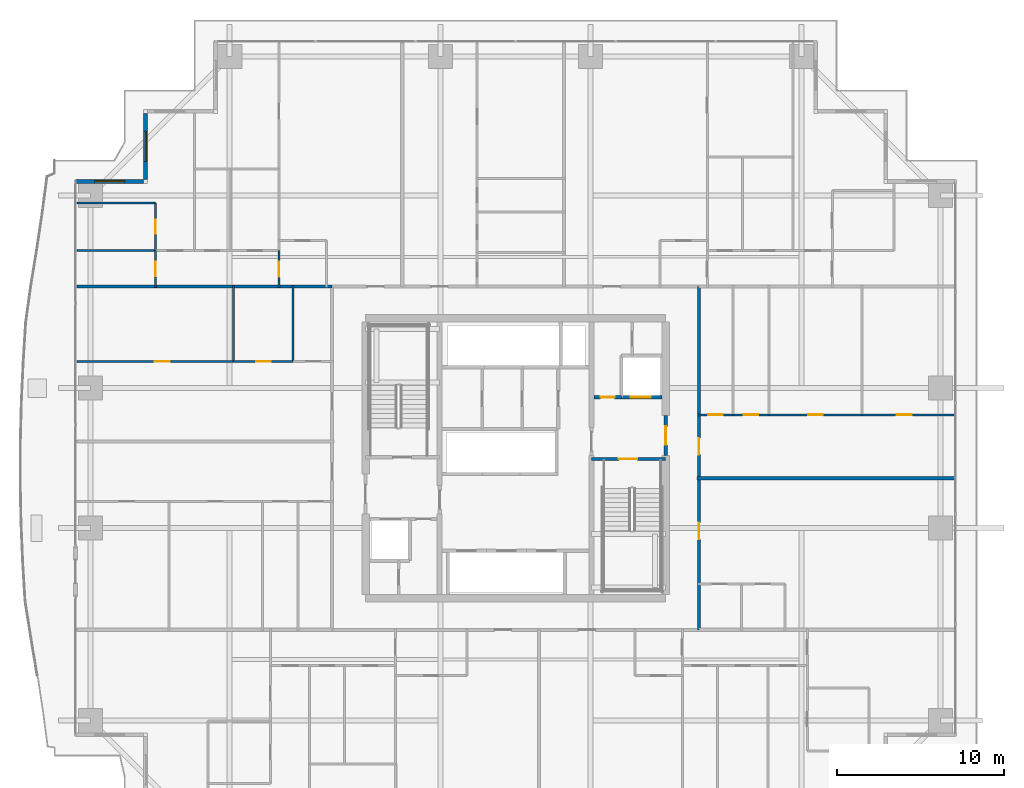
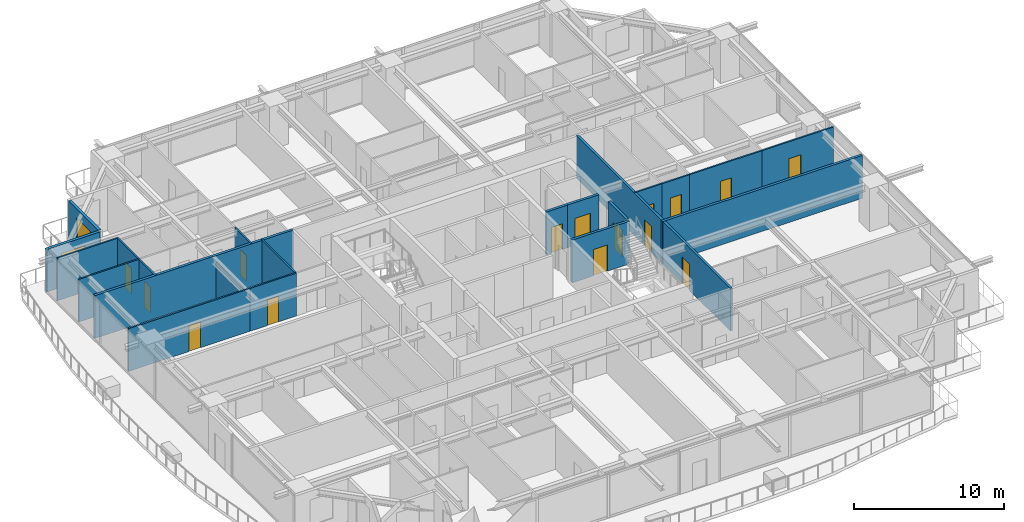
# One storey, part 29 of 39: 22 walls, 15 doors, 2 windows, 17 openings.
"""IFC4 building model written with IfcOpenShell, lengths in metres."""

from ifc_helpers import new_model, si_unit, direction, frame, frame_2d, origin, place, context, subcontext, project, spatial, rectangle, extrude, source, transform, mapped, material, layer, layer_set, type_object, element, fill, save


model = new_model("IFC4")

# Units and contexts
model_context = context("Model", 3, precision=1e-05, world=origin(), true_north=direction((0.0, 1.0)))
body_context = subcontext(model_context, "Body", "Model", "MODEL_VIEW")
ifc_project = project(units=[si_unit("LENGTHUNIT", "METRE"), si_unit("AREAUNIT", "SQUARE_METRE"), si_unit("VOLUMEUNIT", "CUBIC_METRE"), si_unit("PLANEANGLEUNIT", "RADIAN"), si_unit("MASSUNIT", "GRAM", prefix="KILO")], contexts=[model_context])

# Site, building, storey
site_placement = place(None, origin())
site = spatial("IfcSite", under=ifc_project, at=site_placement, CompositionType="ELEMENT")
building_placement = place(site_placement, origin())
building = spatial("IfcBuilding", under=site, at=building_placement, Name="Serunith Strait Residences", CompositionType="ELEMENT")
storey_placement = place(building_placement, frame((0.0, 0.0, 60.449951171875)))
storey = spatial("IfcBuildingStorey", under=building, at=storey_placement, Name="L14", CompositionType="ELEMENT", Elevation=60.449951171875)

# Wall, opening, window
ifc_material_1 = material(Name="Pale-Champagne Aluminium Insulated Panel", Category="aluminium")
ifc_layer_1 = layer(ifc_material_1, 0.219970703125, Name="Pale-Champagne Aluminium Insulated Panel")
ifc_layer_set_1 = layer_set([ifc_layer_1], Name="Pale-Champagne Aluminium Insulated Panel")
wall_type_1 = type_object("IfcWallType", Name="EW-ALUM-220", PredefinedType="ELEMENTEDWALL", material=ifc_layer_set_1)
wall_1_placement = place(storey_placement, frame((10.199951171875, 45.889892578125, 0.0), z_axis=(0.0, 0.0, 1.0), x_axis=(0.0, -1.0, 0.0)))
wall_1 = element("IfcWall", 1, at=wall_1_placement, inside=storey, type_object=wall_type_1, Name="L14 Girih Serrated Corner Wall 14", PredefinedType="ELEMENTEDWALL", context=body_context, shape_type="SweptSolid", body=[
    extrude(rectangle(XDim=3.97998046875, YDim=0.219970703125, at=frame_2d((1.989990234375, 0.0))), origin(), (0.0, 0.0, 1.0), 3.47509765625),
])
opening_1_placement = place(wall_1_placement, frame((1.090087890625, 0.0, 0.64990234375)))
opening_1 = element("IfcOpeningElement", 2, at=opening_1_placement, cuts=wall_1, Name="Opening W-01", PredefinedType="OPENING", context=body_context, shape_type="SweptSolid", body=[
    extrude(rectangle(XDim=1.800048828125, YDim=2.10009765625, at=frame_2d((0.89990234375, 1.050048828125))), frame((0.0, 0.1201171875, 0.0), z_axis=(0.0, -1.0, 0.0), x_axis=(1.0, 0.0, 0.0)), (0.0, 0.0, 1.0), 0.239990234375),
])
ifc_material_2 = material(Name="Ceramic-Fritted Operable Aluminium Window Glass", Category="aluminium")
window_type = type_object("IfcWindowType", Name="WIN-C1", PartitioningType="DOUBLE_PANEL_VERTICAL", PredefinedType="WINDOW", material=ifc_material_2)
shared_shape_1 = source(origin(), body_context, "Body", "SweptSolid", [
    extrude(rectangle(XDim=1.800048828125, YDim=2.10009765625, at=frame_2d((0.89990234375, 1.050048828125))), frame((0.0, 0.030029296875, 0.0), z_axis=(0.0, -1.0, 0.0), x_axis=(1.0, 0.0, 0.0)), (0.0, 0.0, 1.0), 0.06005859375),
])
window_1_placement = place(opening_1_placement, origin())
window_1 = element("IfcWindow", 3, at=window_1_placement, inside=storey, type_object=window_type, Name="L14 Corner Operable Fritted Window 14", OverallHeight=2.10009765625, OverallWidth=1.800048828125, PartitioningType="SINGLE_PANEL", PredefinedType="WINDOW", context=body_context, shape_type="MappedRepresentation", body=[
    mapped(shared_shape_1, transform((0.0, 0.0, 0.0), scale=1.0)),
])
fill(opening_1, window_1)

wall_2_placement = place(storey_placement, frame((10.090087890625, 41.800048828125, 0.0), z_axis=(0.0, 0.0, 1.0), x_axis=(-1.0, 0.0, 0.0)))
wall_2 = element("IfcWall", 4, at=wall_2_placement, inside=storey, type_object=wall_type_1, Name="L14 Girih Serrated Corner Wall 15", PredefinedType="ELEMENTEDWALL", context=body_context, shape_type="SweptSolid", body=[
    extrude(rectangle(XDim=4.090087890625, YDim=0.219970703125, at=frame_2d((2.044921875, 0.0))), origin(), (0.0, 0.0, 1.0), 3.47509765625),
])
opening_2_placement = place(wall_2_placement, frame((1.14501953125, 0.0, 0.64990234375)))
opening_2 = element("IfcOpeningElement", 5, at=opening_2_placement, cuts=wall_2, Name="Opening W-01", PredefinedType="OPENING", context=body_context, shape_type="SweptSolid", body=[
    extrude(rectangle(XDim=1.800048828125, YDim=2.10009765625, at=frame_2d((0.89990234375, 1.050048828125))), frame((0.0, 0.1201171875, 0.0), z_axis=(0.0, -1.0, 0.0), x_axis=(1.0, 0.0, 0.0)), (0.0, 0.0, 1.0), 0.239990234375),
])
window_2_placement = place(opening_2_placement, origin())
window_2 = element("IfcWindow", 6, at=window_2_placement, inside=storey, type_object=window_type, Name="L14 Corner Operable Fritted Window 15", OverallHeight=2.10009765625, OverallWidth=1.800048828125, PartitioningType="SINGLE_PANEL", PredefinedType="WINDOW", context=body_context, shape_type="MappedRepresentation", body=[
    mapped(shared_shape_1, transform((0.0, 0.0, 0.0), scale=1.0)),
])
fill(opening_2, window_2)

# Wall, openings, doors
ifc_material_3 = material(Name="Fire-rated acoustic gypsum partition")
ifc_layer_2 = layer(ifc_material_3, 0.179931640625, Name="Fire-rated acoustic gypsum partition")
ifc_layer_set_2 = layer_set([ifc_layer_2], Name="Fire-rated acoustic gypsum partition")
wall_type_2 = type_object("IfcWallType", Name="IW-CORR-180", PredefinedType="PARTITIONING", material=ifc_layer_set_2)
wall_3_placement = place(storey_placement, frame((43.39990234375, 14.89990234375, 0.0), z_axis=(0.0, 0.0, 1.0), x_axis=(0.0, 1.0, 0.0)))
wall_3 = element("IfcWall", 7, at=wall_3_placement, inside=storey, type_object=wall_type_2, Name="L14 Partition Wall 029", PredefinedType="PARTITIONING", context=body_context, shape_type="SweptSolid", body=[
    extrude(rectangle(XDim=20.60009765625, YDim=0.179931640625, at=frame_2d((10.300048828125, 0.0))), origin(), (0.0, 0.0, 1.0), 3.489990234375),
])
opening_3_placement = place(wall_3_placement, frame((5.428955078125, 0.0, 0.0)))
opening_3 = element("IfcOpeningElement", 8, at=opening_3_placement, cuts=wall_3, Name="Opening D-APT1000", PredefinedType="OPENING", context=body_context, shape_type="SweptSolid", body=[
    extrude(rectangle(XDim=1.0, YDim=2.14990234375, at=frame_2d((0.5, 1.074951171875))), frame((0.0, 0.10009765625, 0.0), z_axis=(0.0, -1.0, 0.0), x_axis=(1.0, 0.0, 0.0)), (0.0, 0.0, 1.0), 0.199951171875),
])
opening_4_placement = place(wall_3_placement, frame((10.506103515625, 0.0, 0.0)))
opening_4 = element("IfcOpeningElement", 9, at=opening_4_placement, cuts=wall_3, Name="Opening D-APT1000", PredefinedType="OPENING", context=body_context, shape_type="SweptSolid", body=[
    extrude(rectangle(XDim=1.0, YDim=2.14990234375, at=frame_2d((0.5, 1.074951171875))), frame((0.0, 0.10009765625, 0.0), z_axis=(0.0, -1.0, 0.0), x_axis=(1.0, 0.0, 0.0)), (0.0, 0.0, 1.0), 0.199951171875),
])
ifc_material_4 = material(Name="Solid timber engineered fire door", Category="wood")
door_type_1 = type_object("IfcDoorType", Name="ID-APT-1000", OperationType="NOTDEFINED", PredefinedType="DOOR", material=ifc_material_4)
shared_shape_2 = source(origin(), body_context, "Body", "SweptSolid", [
    extrude(rectangle(XDim=1.0, YDim=2.14990234375, at=frame_2d((0.5, 1.074951171875))), frame((0.0, 0.02490234375, 0.0), z_axis=(0.0, -1.0, 0.0), x_axis=(1.0, 0.0, 0.0)), (0.0, 0.0, 1.0), 0.050048828125),
])
door_1_placement = place(opening_3_placement, origin())
door_1 = element("IfcDoor", 10, at=door_1_placement, inside=storey, type_object=door_type_1, Name="L14 Unit 08 Entrance Door", OperationType="SINGLE_SWING_LEFT", OverallHeight=2.14990234375, OverallWidth=1.0, PredefinedType="DOOR", context=body_context, shape_type="MappedRepresentation", body=[
    mapped(shared_shape_2, transform((0.0, 0.0, 0.0), scale=1.0)),
])
fill(opening_3, door_1)
door_2_placement = place(opening_4_placement, origin())
door_2 = element("IfcDoor", 11, at=door_2_placement, inside=storey, type_object=door_type_1, Name="L14 Unit 09 Entrance Door", OperationType="SINGLE_SWING_RIGHT", OverallHeight=2.14990234375, OverallWidth=1.0, PredefinedType="DOOR", context=body_context, shape_type="MappedRepresentation", body=[
    mapped(shared_shape_2, transform((0.0, 0.0, 0.0), scale=1.0)),
])
fill(opening_4, door_2)

# Wall, opening, door
ifc_material_5 = material(Name="Lightweight steel-stud gypsum partition", Category="steel")
ifc_layer_3 = layer(ifc_material_5, 0.1201171875, Name="Lightweight steel-stud gypsum partition")
ifc_layer_set_3 = layer_set([ifc_layer_3], Name="Lightweight steel-stud gypsum partition")
wall_type_3 = type_object("IfcWallType", Name="IW-PART-120", PredefinedType="PARTITIONING", material=ifc_layer_set_3)
wall_4_placement = place(storey_placement, frame((18.2099609375, 37.64990234375, 0.0), z_axis=(0.0, 0.0, 1.0), x_axis=(0.0, -1.0, 0.0)))
wall_4 = element("IfcWall", 12, at=wall_4_placement, inside=storey, type_object=wall_type_3, Name="L14 Partition Wall 066", PredefinedType="PARTITIONING", context=body_context, shape_type="SweptSolid", body=[
    extrude(rectangle(XDim=2.2099609375, YDim=0.1201171875, at=frame_2d((1.10498046875, 0.0))), origin(), (0.0, 0.0, 1.0), 3.489990234375),
])
opening_5_placement = place(wall_4_placement, frame((0.655029296875, 0.0, 0.0)))
opening_5 = element("IfcOpeningElement", 13, at=opening_5_placement, cuts=wall_4, Name="Opening D-RM900", PredefinedType="OPENING", context=body_context, shape_type="SweptSolid", body=[
    extrude(rectangle(XDim=0.89990234375, YDim=2.10009765625, at=frame_2d((0.449951171875, 1.050048828125))), frame((0.0, 0.070068359375, 0.0), z_axis=(0.0, -1.0, 0.0), x_axis=(1.0, 0.0, 0.0)), (0.0, 0.0, 1.0), 0.14013671875),
])
ifc_material_6 = material(Name="Engineered timber flush bedroom door", Category="wood")
door_type_2 = type_object("IfcDoorType", Name="ID-ROOM-900", OperationType="NOTDEFINED", PredefinedType="DOOR", material=ifc_material_6)
shared_shape_3 = source(origin(), body_context, "Body", "SweptSolid", [
    extrude(rectangle(XDim=0.89990234375, YDim=2.10009765625, at=frame_2d((0.449951171875, 1.050048828125))), frame((0.0, 0.02490234375, 0.0), z_axis=(0.0, -1.0, 0.0), x_axis=(1.0, 0.0, 0.0)), (0.0, 0.0, 1.0), 0.050048828125),
])
door_3_placement = place(opening_5_placement, origin())
door_3 = element("IfcDoor", 14, at=door_3_placement, inside=storey, type_object=door_type_2, Name="L14 Hall W 1403 Door", OperationType="SINGLE_SWING_RIGHT", OverallHeight=2.10009765625, OverallWidth=0.89990234375, PredefinedType="DOOR", context=body_context, shape_type="MappedRepresentation", body=[
    mapped(shared_shape_3, transform((0.0, 0.0, 0.0), scale=1.0)),
])
fill(opening_5, door_3)

# Walls
wall_5_placement = place(storey_placement, frame((6.094970703125, 40.506103515625, 0.0), z_axis=(0.0, 0.0, 1.0), x_axis=(1.0, 0.0, 0.0)))
element("IfcWall", 15, at=wall_5_placement, inside=storey, type_object=wall_type_3, Name="L14 Partition Wall 075", PredefinedType="PARTITIONING", context=body_context, shape_type="SweptSolid", body=[
    extrude(rectangle(XDim=4.705078125, YDim=0.1201171875, at=frame_2d((2.3525390625, 0.0))), origin(), (0.0, 0.0, 1.0), 3.489990234375),
])
wall_6_placement = place(storey_placement, frame((6.094970703125, 37.64990234375, 0.0), z_axis=(0.0, 0.0, 1.0), x_axis=(1.0, 0.0, 0.0)))
element("IfcWall", 16, at=wall_6_placement, inside=storey, type_object=wall_type_3, Name="L14 Partition Wall 076", PredefinedType="PARTITIONING", context=body_context, shape_type="SweptSolid", body=[
    extrude(rectangle(XDim=4.703125, YDim=0.1201171875, at=frame_2d((2.3515625, 0.0))), origin(), (0.0, 0.0, 1.0), 3.489990234375),
])

# Wall, opening, door
wall_7_placement = place(storey_placement, frame((10.800048828125, 40.506103515625, 0.0), z_axis=(0.0, 0.0, 1.0), x_axis=(0.0, -1.0, 0.0)))
wall_7 = element("IfcWall", 17, at=wall_7_placement, inside=storey, type_object=wall_type_3, Name="L14 Partition Wall 077", PredefinedType="PARTITIONING", context=body_context, shape_type="SweptSolid", body=[
    extrude(rectangle(XDim=2.856201171875, YDim=0.1201171875, at=frame_2d((1.42822265625, 0.0))), origin(), (0.0, 0.0, 1.0), 3.489990234375),
])
opening_6_placement = place(wall_7_placement, frame((1.0029296875, 0.0, 0.0)))
opening_6 = element("IfcOpeningElement", 18, at=opening_6_placement, cuts=wall_7, Name="Opening D-BTH850", PredefinedType="OPENING", context=body_context, shape_type="SweptSolid", body=[
    extrude(rectangle(XDim=0.85009765625, YDim=2.10009765625, at=frame_2d((0.425048828125, 1.050048828125))), frame((0.0, 0.070068359375, 0.0), z_axis=(0.0, -1.0, 0.0), x_axis=(1.0, 0.0, 0.0)), (0.0, 0.0, 1.0), 0.14013671875),
])
ifc_material_7 = material(Name="Moisture-resistant timber bathroom door", Category="wood")
door_type_3 = type_object("IfcDoorType", Name="ID-BATH-850", OperationType="NOTDEFINED", PredefinedType="DOOR", material=ifc_material_7)
shared_shape_4 = source(origin(), body_context, "Body", "SweptSolid", [
    extrude(rectangle(XDim=0.85009765625, YDim=2.10009765625, at=frame_2d((0.425048828125, 1.050048828125))), frame((0.0, 0.02490234375, 0.0), z_axis=(0.0, -1.0, 0.0), x_axis=(1.0, 0.0, 0.0)), (0.0, 0.0, 1.0), 0.050048828125),
])
door_4_placement = place(opening_6_placement, origin())
door_4 = element("IfcDoor", 19, at=door_4_placement, inside=storey, type_object=door_type_3, Name="L14 En-suite Bathroom W 1403 Door", OperationType="SINGLE_SWING_LEFT", OverallHeight=2.10009765625, OverallWidth=0.85009765625, PredefinedType="DOOR", context=body_context, shape_type="MappedRepresentation", body=[
    mapped(shared_shape_4, transform((0.0, 0.0, 0.0), scale=1.0)),
])
fill(opening_6, door_4)

wall_8_placement = place(storey_placement, frame((10.800048828125, 37.64794921875, 0.0), z_axis=(0.0, 0.0, 1.0), x_axis=(0.0, -1.0, 0.0)))
wall_8 = element("IfcWall", 20, at=wall_8_placement, inside=storey, type_object=wall_type_3, Name="L14 Partition Wall 078", PredefinedType="PARTITIONING", context=body_context, shape_type="SweptSolid", body=[
    extrude(rectangle(XDim=2.2080078125, YDim=0.1201171875, at=frame_2d((1.10400390625, 0.0))), origin(), (0.0, 0.0, 1.0), 3.489990234375),
])
opening_7_placement = place(wall_8_placement, frame((0.678955078125, 0.0, 0.0)))
opening_7 = element("IfcOpeningElement", 21, at=opening_7_placement, cuts=wall_8, Name="Opening D-RM850", PredefinedType="OPENING", context=body_context, shape_type="SweptSolid", body=[
    extrude(rectangle(XDim=0.85009765625, YDim=2.10009765625, at=frame_2d((0.425048828125, 1.050048828125))), frame((0.0, 0.070068359375, 0.0), z_axis=(0.0, -1.0, 0.0), x_axis=(1.0, 0.0, 0.0)), (0.0, 0.0, 1.0), 0.14013671875),
])
ifc_material_8 = material(Name="Engineered timber flush study and kitchen door", Category="wood")
door_type_4 = type_object("IfcDoorType", Name="ID-ROOM-850", OperationType="NOTDEFINED", PredefinedType="DOOR", material=ifc_material_8)
door_5_placement = place(opening_7_placement, origin())
door_5 = element("IfcDoor", 22, at=door_5_placement, inside=storey, type_object=door_type_4, Name="L14 Wardrobe W 1403 Door", OperationType="SINGLE_SWING_RIGHT", OverallHeight=2.10009765625, OverallWidth=0.85009765625, PredefinedType="DOOR", context=body_context, shape_type="MappedRepresentation", body=[
    mapped(shared_shape_4, transform((0.0, 0.0, 0.0), scale=1.0)),
])
fill(opening_7, door_5)

wall_9_placement = place(storey_placement, frame((6.094970703125, 31.0, 0.0), z_axis=(0.0, 0.0, 1.0), x_axis=(1.0, 0.0, 0.0)))
wall_9 = element("IfcWall", 23, at=wall_9_placement, inside=storey, type_object=wall_type_3, Name="L14 Partition Wall 109", PredefinedType="PARTITIONING", context=body_context, shape_type="SweptSolid", body=[
    extrude(rectangle(XDim=9.39306640625, YDim=0.1201171875, at=frame_2d((4.696533203125, 0.0))), origin(), (0.0, 0.0, 1.0), 3.489990234375),
])
opening_8_placement = place(wall_9_placement, frame((4.6708984375, 0.0, 0.0)))
opening_8 = element("IfcOpeningElement", 24, at=opening_8_placement, cuts=wall_9, Name="Opening D-RM900", PredefinedType="OPENING", context=body_context, shape_type="SweptSolid", body=[
    extrude(rectangle(XDim=0.89990234375, YDim=2.10009765625, at=frame_2d((0.449951171875, 1.050048828125))), frame((0.0, 0.070068359375, 0.0), z_axis=(0.0, -1.0, 0.0), x_axis=(1.0, 0.0, 0.0)), (0.0, 0.0, 1.0), 0.14013671875),
])
door_6_placement = place(opening_8_placement, origin())
door_6 = element("IfcDoor", 25, at=door_6_placement, inside=storey, type_object=door_type_2, Name="L14 Master Bedroom 1 1407 Door", OperationType="SINGLE_SWING_LEFT", OverallHeight=2.10009765625, OverallWidth=0.89990234375, PredefinedType="DOOR", context=body_context, shape_type="MappedRepresentation", body=[
    mapped(shared_shape_3, transform((0.0, 0.0, 0.0), scale=1.0)),
])
fill(opening_8, door_6)

# Walls
wall_10_placement = place(storey_placement, frame((15.488037109375, 31.0, 0.0), z_axis=(0.0, 0.0, 1.0), x_axis=(0.0, 1.0, 0.0)))
element("IfcWall", 26, at=wall_10_placement, inside=storey, type_object=wall_type_3, Name="L14 Partition Wall 110", PredefinedType="PARTITIONING", context=body_context, shape_type="SweptSolid", body=[
    extrude(rectangle(XDim=4.56005859375, YDim=0.1201171875, at=frame_2d((2.280029296875, 0.0))), origin(), (0.0, 0.0, 1.0), 2.922119140625),
])
wall_11_placement = place(storey_placement, frame((19.055908203125, 31.0, 0.0), z_axis=(0.0, 0.0, 1.0), x_axis=(0.0, 1.0, 0.0)))
element("IfcWall", 27, at=wall_11_placement, inside=storey, type_object=wall_type_3, Name="L14 Partition Wall 111", PredefinedType="PARTITIONING", context=body_context, shape_type="SweptSolid", body=[
    extrude(rectangle(XDim=4.56005859375, YDim=0.1201171875, at=frame_2d((2.280029296875, 0.0))), origin(), (0.0, 0.0, 1.0), 3.489990234375),
])

# Wall, opening, door
wall_12_placement = place(storey_placement, frame((15.489990234375, 31.0, 0.0), z_axis=(0.0, 0.0, 1.0), x_axis=(1.0, 0.0, 0.0)))
wall_12 = element("IfcWall", 28, at=wall_12_placement, inside=storey, type_object=wall_type_3, Name="L14 Partition Wall 112", PredefinedType="PARTITIONING", context=body_context, shape_type="SweptSolid", body=[
    extrude(rectangle(XDim=3.56591796875, YDim=0.1201171875, at=frame_2d((1.782958984375, 0.0))), origin(), (0.0, 0.0, 1.0), 3.489990234375),
])
opening_9_placement = place(wall_12_placement, frame((1.35791015625, 0.0, 0.0)))
opening_9 = element("IfcOpeningElement", 29, at=opening_9_placement, cuts=wall_12, Name="Opening D-RM850", PredefinedType="OPENING", context=body_context, shape_type="SweptSolid", body=[
    extrude(rectangle(XDim=0.85009765625, YDim=2.10009765625, at=frame_2d((0.425048828125, 1.050048828125))), frame((0.0, 0.070068359375, 0.0), z_axis=(0.0, -1.0, 0.0), x_axis=(1.0, 0.0, 0.0)), (0.0, 0.0, 1.0), 0.14013671875),
])
door_7_placement = place(opening_9_placement, origin())
door_7 = element("IfcDoor", 30, at=door_7_placement, inside=storey, type_object=door_type_4, Name="L14 Kitchen 1407 Door", OperationType="SINGLE_SWING_RIGHT", OverallHeight=2.10009765625, OverallWidth=0.85009765625, PredefinedType="DOOR", context=body_context, shape_type="MappedRepresentation", body=[
    mapped(shared_shape_4, transform((0.0, 0.0, 0.0), scale=1.0)),
])
fill(opening_9, door_7)

wall_13_placement = place(storey_placement, frame((58.705078125, 27.800048828125, 0.0), z_axis=(0.0, 0.0, 1.0), x_axis=(-1.0, 0.0, 0.0)))
wall_13 = element("IfcWall", 31, at=wall_13_placement, inside=storey, type_object=wall_type_3, Name="L14 Partition Wall 118", PredefinedType="PARTITIONING", context=body_context, shape_type="SweptSolid", body=[
    extrude(rectangle(XDim=5.51416015625, YDim=0.1201171875, at=frame_2d((2.757080078125, 0.0))), origin(), (0.0, 0.0, 1.0), 3.489990234375),
])
opening_10_placement = place(wall_13_placement, frame((2.5380859375, 0.0, 0.0)))
opening_10 = element("IfcOpeningElement", 32, at=opening_10_placement, cuts=wall_13, Name="Opening D-RM900", PredefinedType="OPENING", context=body_context, shape_type="SweptSolid", body=[
    extrude(rectangle(XDim=0.89990234375, YDim=2.10009765625, at=frame_2d((0.449951171875, 1.050048828125))), frame((0.0, 0.070068359375, 0.0), z_axis=(0.0, -1.0, 0.0), x_axis=(1.0, 0.0, 0.0)), (0.0, 0.0, 1.0), 0.14013671875),
])
door_8_placement = place(opening_10_placement, origin())
door_8 = element("IfcDoor", 33, at=door_8_placement, inside=storey, type_object=door_type_2, Name="L14 Master Bedroom 1 1409 Door", OperationType="SINGLE_SWING_RIGHT", OverallHeight=2.10009765625, OverallWidth=0.89990234375, PredefinedType="DOOR", context=body_context, shape_type="MappedRepresentation", body=[
    mapped(shared_shape_3, transform((0.0, 0.0, 0.0), scale=1.0)),
])
fill(opening_10, door_8)

wall_14_placement = place(storey_placement, frame((53.18896484375, 27.800048828125, 0.0), z_axis=(0.0, 0.0, 1.0), x_axis=(-1.0, 0.0, 0.0)))
wall_14 = element("IfcWall", 34, at=wall_14_placement, inside=storey, type_object=wall_type_3, Name="L14 Partition Wall 122", PredefinedType="PARTITIONING", context=body_context, shape_type="SweptSolid", body=[
    extrude(rectangle(XDim=5.595947265625, YDim=0.1201171875, at=frame_2d((2.7978515625, 0.0))), origin(), (0.0, 0.0, 1.0), 3.489990234375),
])
opening_11_placement = place(wall_14_placement, frame((2.373046875, 0.0, 0.0)))
opening_11 = element("IfcOpeningElement", 35, at=opening_11_placement, cuts=wall_14, Name="Opening D-RM850", PredefinedType="OPENING", context=body_context, shape_type="SweptSolid", body=[
    extrude(rectangle(XDim=0.85009765625, YDim=2.10009765625, at=frame_2d((0.425048828125, 1.050048828125))), frame((0.0, 0.070068359375, 0.0), z_axis=(0.0, -1.0, 0.0), x_axis=(1.0, 0.0, 0.0)), (0.0, 0.0, 1.0), 0.14013671875),
])
door_9_placement = place(opening_11_placement, origin())
door_9 = element("IfcDoor", 36, at=door_9_placement, inside=storey, type_object=door_type_4, Name="L14 Dining 1409 Door", OperationType="SINGLE_SWING_LEFT", OverallHeight=2.10009765625, OverallWidth=0.85009765625, PredefinedType="DOOR", context=body_context, shape_type="MappedRepresentation", body=[
    mapped(shared_shape_4, transform((0.0, 0.0, 0.0), scale=1.0)),
])
fill(opening_11, door_9)

wall_15_placement = place(storey_placement, frame((47.591064453125, 27.800048828125, 0.0), z_axis=(0.0, 0.0, 1.0), x_axis=(-1.0, 0.0, 0.0)))
wall_15 = element("IfcWall", 37, at=wall_15_placement, inside=storey, type_object=wall_type_3, Name="L14 Partition Wall 123", PredefinedType="PARTITIONING", context=body_context, shape_type="SweptSolid", body=[
    extrude(rectangle(XDim=2.14111328125, YDim=0.1201171875, at=frame_2d((1.070556640625, 0.0))), origin(), (0.0, 0.0, 1.0), 3.489990234375),
])
opening_12_placement = place(wall_15_placement, frame((0.64501953125, 0.0, 0.0)))
opening_12 = element("IfcOpeningElement", 38, at=opening_12_placement, cuts=wall_15, Name="Opening D-RM850", PredefinedType="OPENING", context=body_context, shape_type="SweptSolid", body=[
    extrude(rectangle(XDim=0.85009765625, YDim=2.10009765625, at=frame_2d((0.425048828125, 1.050048828125))), frame((0.0, 0.070068359375, 0.0), z_axis=(0.0, -1.0, 0.0), x_axis=(1.0, 0.0, 0.0)), (0.0, 0.0, 1.0), 0.14013671875),
])
door_10_placement = place(opening_12_placement, origin())
door_10 = element("IfcDoor", 39, at=door_10_placement, inside=storey, type_object=door_type_4, Name="L14 Kitchen 1409 Door", OperationType="SINGLE_SWING_RIGHT", OverallHeight=2.10009765625, OverallWidth=0.85009765625, PredefinedType="DOOR", context=body_context, shape_type="MappedRepresentation", body=[
    mapped(shared_shape_4, transform((0.0, 0.0, 0.0), scale=1.0)),
])
fill(opening_12, door_10)

wall_16_placement = place(storey_placement, frame((45.447998046875, 27.800048828125, 0.0), z_axis=(0.0, 0.0, 1.0), x_axis=(-1.0, 0.0, 0.0)))
wall_16 = element("IfcWall", 40, at=wall_16_placement, inside=storey, type_object=wall_type_3, Name="L14 Partition Wall 124", PredefinedType="PARTITIONING", context=body_context, shape_type="SweptSolid", body=[
    extrude(rectangle(XDim=2.10791015625, YDim=0.1201171875, at=frame_2d((1.053955078125, 0.0))), origin(), (0.0, 0.0, 1.0), 3.489990234375),
])
opening_13_placement = place(wall_16_placement, frame((0.62890625, 0.0, 0.0)))
opening_13 = element("IfcOpeningElement", 41, at=opening_13_placement, cuts=wall_16, Name="Opening D-BTH850", PredefinedType="OPENING", context=body_context, shape_type="SweptSolid", body=[
    extrude(rectangle(XDim=0.85009765625, YDim=2.10009765625, at=frame_2d((0.425048828125, 1.050048828125))), frame((0.0, 0.070068359375, 0.0), z_axis=(0.0, -1.0, 0.0), x_axis=(1.0, 0.0, 0.0)), (0.0, 0.0, 1.0), 0.14013671875),
])
door_11_placement = place(opening_13_placement, origin())
door_11 = element("IfcDoor", 42, at=door_11_placement, inside=storey, type_object=door_type_3, Name="L14 Bathroom 1409 Door", OperationType="SINGLE_SWING_LEFT", OverallHeight=2.10009765625, OverallWidth=0.85009765625, PredefinedType="DOOR", context=body_context, shape_type="MappedRepresentation", body=[
    mapped(shared_shape_4, transform((0.0, 0.0, 0.0), scale=1.0)),
])
fill(opening_13, door_11)

# Walls
ifc_material_9 = material(Name="Twin-stud acoustic gypsum board partition")
ifc_layer_4 = layer(ifc_material_9, 0.199951171875, Name="Twin-stud acoustic gypsum board partition")
ifc_layer_set_4 = layer_set([ifc_layer_4], Name="Twin-stud acoustic gypsum board partition")
wall_type_4 = type_object("IfcWallType", Name="IW-PARTY-200", PredefinedType="PARTITIONING", material=ifc_layer_set_4)
wall_17_placement = place(storey_placement, frame((43.280029296875, 24.0, 0.0), z_axis=(0.0, 0.0, 1.0), x_axis=(1.0, 0.0, 0.0)))
element("IfcWall", 43, at=wall_17_placement, inside=storey, type_object=wall_type_4, Name="L14 Partition Wall 021", PredefinedType="PARTITIONING", context=body_context, shape_type="SweptSolid", body=[
    extrude(rectangle(XDim=15.43798828125, YDim=0.199951171875, at=frame_2d((7.718994140625, 0.0))), origin(), (0.0, 0.0, 1.0), 3.489990234375),
])
wall_18_placement = place(storey_placement, frame((6.08203125, 35.5, 0.0), z_axis=(0.0, 0.0, 1.0), x_axis=(1.0, 0.0, 0.0)))
element("IfcWall", 44, at=wall_18_placement, inside=storey, type_object=wall_type_4, Name="L14 Partition Wall 024", PredefinedType="PARTITIONING", context=body_context, shape_type="SweptSolid", body=[
    extrude(rectangle(XDim=15.31787109375, YDim=0.199951171875, at=frame_2d((7.658935546875, 0.0))), origin(), (0.0, 0.0, 1.0), 3.489990234375),
])

# Wall, opening, door
ifc_material_10 = material(Name="Autoclaved aerated concrete blockwork", Category="masonry")
ifc_layer_5 = layer(ifc_material_10, 0.199951171875, Name="Autoclaved aerated concrete blockwork")
ifc_layer_set_5 = layer_set([ifc_layer_5], Name="Autoclaved aerated concrete blockwork")
wall_type_5 = type_object("IfcWallType", Name="IW-SHAFT-200", PredefinedType="STANDARD", material=ifc_layer_set_5)
wall_19_placement = place(storey_placement, frame((36.949951171875, 25.14990234375, 0.0), z_axis=(0.0, 0.0, 1.0), x_axis=(1.0, 0.0, 0.0)))
wall_19 = element("IfcWall", 45, at=wall_19_placement, inside=storey, type_object=wall_type_5, Name="L14 ST-2 North Shaft Wall", PredefinedType="STANDARD", context=body_context, shape_type="SweptSolid", body=[
    extrude(rectangle(XDim=4.449951171875, YDim=0.199951171875, at=frame_2d((2.22509765625, 0.0))), origin(), (0.0, 0.0, 1.0), 3.489990234375),
])
opening_14_placement = place(wall_19_placement, frame((1.64990234375, 0.0, 0.0)))
opening_14 = element("IfcOpeningElement", 46, at=opening_14_placement, cuts=wall_19, Name="Opening FD-1100", PredefinedType="OPENING", context=body_context, shape_type="SweptSolid", body=[
    extrude(rectangle(XDim=1.10009765625, YDim=2.14990234375, at=frame_2d((0.550048828125, 1.074951171875))), frame((0.0, 0.10986328125, 0.0), z_axis=(0.0, -1.0, 0.0), x_axis=(1.0, 0.0, 0.0)), (0.0, 0.0, 1.0), 0.219970703125),
])
ifc_material_11 = material(Name="Galvanised steel fire door leaf", Category="steel")
door_type_5 = type_object("IfcDoorType", Name="FD-STAIR-1100", OperationType="NOTDEFINED", PredefinedType="DOOR", material=ifc_material_11)
shared_shape_5 = source(origin(), body_context, "Body", "SweptSolid", [
    extrude(rectangle(XDim=1.10009765625, YDim=2.14990234375, at=frame_2d((0.550048828125, 1.074951171875))), frame((0.0, 0.02490234375, 0.0), z_axis=(0.0, -1.0, 0.0), x_axis=(1.0, 0.0, 0.0)), (0.0, 0.0, 1.0), 0.050048828125),
])
door_12_placement = place(opening_14_placement, origin())
door_12 = element("IfcDoor", 47, at=door_12_placement, inside=storey, type_object=door_type_5, Name="L14 ST-2 Escape Stair Door", OperationType="SINGLE_SWING_LEFT", OverallHeight=2.14990234375, OverallWidth=1.10009765625, PredefinedType="DOOR", context=body_context, shape_type="MappedRepresentation", body=[
    mapped(shared_shape_5, transform((0.0, 0.0, 0.0), scale=1.0)),
])
fill(opening_14, door_12)

wall_20_placement = place(storey_placement, frame((38.75, 28.85009765625, 0.0), z_axis=(0.0, 0.0, 1.0), x_axis=(1.0, 0.0, 0.0)))
wall_20 = element("IfcWall", 48, at=wall_20_placement, inside=storey, type_object=wall_type_5, Name="L14 FL-2 South Shaft Wall", PredefinedType="STANDARD", context=body_context, shape_type="SweptSolid", body=[
    extrude(rectangle(XDim=2.425048828125, YDim=0.199951171875, at=frame_2d((1.21240234375, 0.0))), origin(), (0.0, 0.0, 1.0), 3.489990234375),
])
opening_15_placement = place(wall_20_placement, frame((0.550048828125, 0.0, 0.0)))
opening_15 = element("IfcOpeningElement", 49, at=opening_15_placement, cuts=wall_20, Name="Opening LD-FF1200", PredefinedType="OPENING", context=body_context, shape_type="SweptSolid", body=[
    extrude(rectangle(XDim=1.199951171875, YDim=2.199951171875, at=frame_2d((0.60009765625, 1.10009765625))), frame((0.0, 0.10986328125, 0.0), z_axis=(0.0, -1.0, 0.0), x_axis=(1.0, 0.0, 0.0)), (0.0, 0.0, 1.0), 0.219970703125),
])
ifc_material_12 = material(Name="Brushed stainless steel landing door", Category="steel")
door_type_6 = type_object("IfcDoorType", Name="LD-FF-1200", OperationType="DOUBLE_DOOR_SLIDING", PredefinedType="DOOR", material=ifc_material_12)
shared_shape_6 = source(origin(), body_context, "Body", "SweptSolid", [
    extrude(rectangle(XDim=1.199951171875, YDim=2.199951171875, at=frame_2d((0.60009765625, 1.10009765625))), frame((0.0, 0.02490234375, 0.0), z_axis=(0.0, -1.0, 0.0), x_axis=(1.0, 0.0, 0.0)), (0.0, 0.0, 1.0), 0.050048828125),
])
door_13_placement = place(opening_15_placement, origin())
door_13 = element("IfcDoor", 50, at=door_13_placement, inside=storey, type_object=door_type_6, Name="L14 FL-2 Landing Door", OperationType="DOUBLE_DOOR_SLIDING", OverallHeight=2.199951171875, OverallWidth=1.199951171875, PredefinedType="DOOR", context=body_context, shape_type="MappedRepresentation", body=[
    mapped(shared_shape_6, transform((0.0, 0.0, 0.0), scale=1.0)),
])
fill(opening_15, door_13)

wall_21_placement = place(storey_placement, frame((37.10009765625, 28.85009765625, 0.0), z_axis=(0.0, 0.0, 1.0), x_axis=(1.0, 0.0, 0.0)))
wall_21 = element("IfcWall", 51, at=wall_21_placement, inside=storey, type_object=wall_type_5, Name="L14 Partition Wall 006", PredefinedType="STANDARD", context=body_context, shape_type="SweptSolid", body=[
    extrude(rectangle(XDim=1.64794921875, YDim=0.199951171875, at=frame_2d((0.823974609375, 0.0))), origin(), (0.0, 0.0, 1.0), 3.489990234375),
])
opening_16_placement = place(wall_21_placement, frame((0.39892578125, 0.0, 0.0)))
opening_16 = element("IfcOpeningElement", 52, at=opening_16_placement, cuts=wall_21, Name="Opening FD-850", PredefinedType="OPENING", context=body_context, shape_type="SweptSolid", body=[
    extrude(rectangle(XDim=0.85009765625, YDim=2.10009765625, at=frame_2d((0.425048828125, 1.050048828125))), frame((0.0, 0.10986328125, 0.0), z_axis=(0.0, -1.0, 0.0), x_axis=(1.0, 0.0, 0.0)), (0.0, 0.0, 1.0), 0.219970703125),
])
ifc_material_13 = material(Name="Powder-coated steel service closet door", Category="steel")
door_type_7 = type_object("IfcDoorType", Name="FD-BOH-850", OperationType="NOTDEFINED", PredefinedType="DOOR", material=ifc_material_13)
door_14_placement = place(opening_16_placement, origin())
door_14 = element("IfcDoor", 53, at=door_14_placement, inside=storey, type_object=door_type_7, Name="L14 North-East Core Service Door", OperationType="SINGLE_SWING_RIGHT", OverallHeight=2.10009765625, OverallWidth=0.85009765625, PredefinedType="DOOR", context=body_context, shape_type="MappedRepresentation", body=[
    mapped(shared_shape_4, transform((0.0, 0.0, 0.0), scale=1.0)),
])
fill(opening_16, door_14)

wall_22_placement = place(storey_placement, frame((41.39990234375, 25.35205078125, 0.0), z_axis=(0.0, 0.0, 1.0), x_axis=(0.0, 1.0, 0.0)))
wall_22 = element("IfcWall", 54, at=wall_22_placement, inside=storey, type_object=wall_type_5, Name="L14 Partition Wall 008", PredefinedType="STANDARD", context=body_context, shape_type="SweptSolid", body=[
    extrude(rectangle(XDim=2.39599609375, YDim=0.199951171875, at=frame_2d((1.197998046875, 0.0))), origin(), (0.0, 0.0, 1.0), 3.489990234375),
])
opening_17_placement = place(wall_22_placement, frame((0.64794921875, 0.0, 0.0)))
opening_17 = element("IfcOpeningElement", 55, at=opening_17_placement, cuts=wall_22, Name="Opening FD-FFL", PredefinedType="OPENING", context=body_context, shape_type="SweptSolid", body=[
    extrude(rectangle(XDim=1.10009765625, YDim=2.14990234375, at=frame_2d((0.550048828125, 1.074951171875))), frame((0.0, 0.10986328125, 0.0), z_axis=(0.0, -1.0, 0.0), x_axis=(1.0, 0.0, 0.0)), (0.0, 0.0, 1.0), 0.219970703125),
])
ifc_material_14 = material(Name="Glazed steel smoke-lobby fire door", Category="steel")
door_type_8 = type_object("IfcDoorType", Name="FD-FFL-1100", OperationType="NOTDEFINED", PredefinedType="DOOR", material=ifc_material_14)
door_15_placement = place(opening_17_placement, origin())
door_15 = element("IfcDoor", 56, at=door_15_placement, inside=storey, type_object=door_type_8, Name="L14 FFL-2 Corridor Fire Door", OperationType="SINGLE_SWING_RIGHT", OverallHeight=2.14990234375, OverallWidth=1.10009765625, PredefinedType="DOOR", context=body_context, shape_type="MappedRepresentation", body=[
    mapped(shared_shape_5, transform((0.0, 0.0, 0.0), scale=1.0)),
])
fill(opening_17, door_15)

save(model, "model.ifc")
